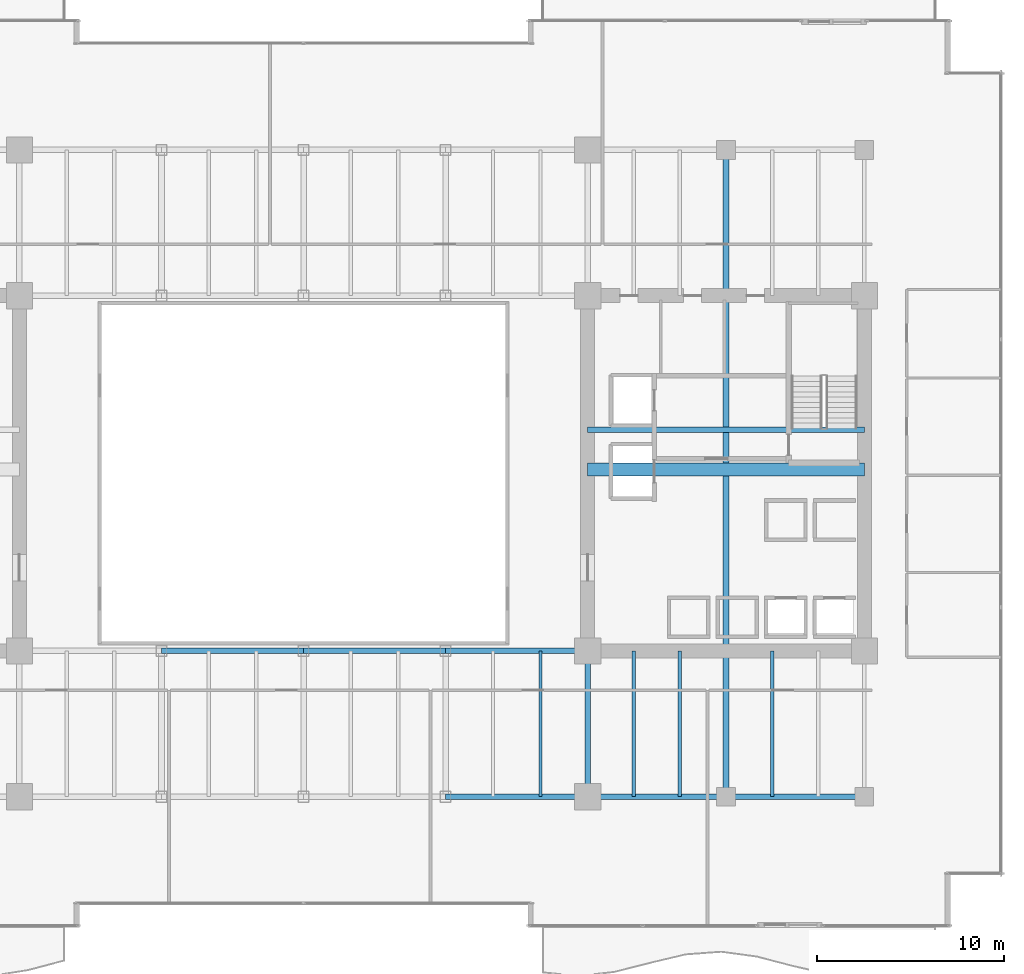
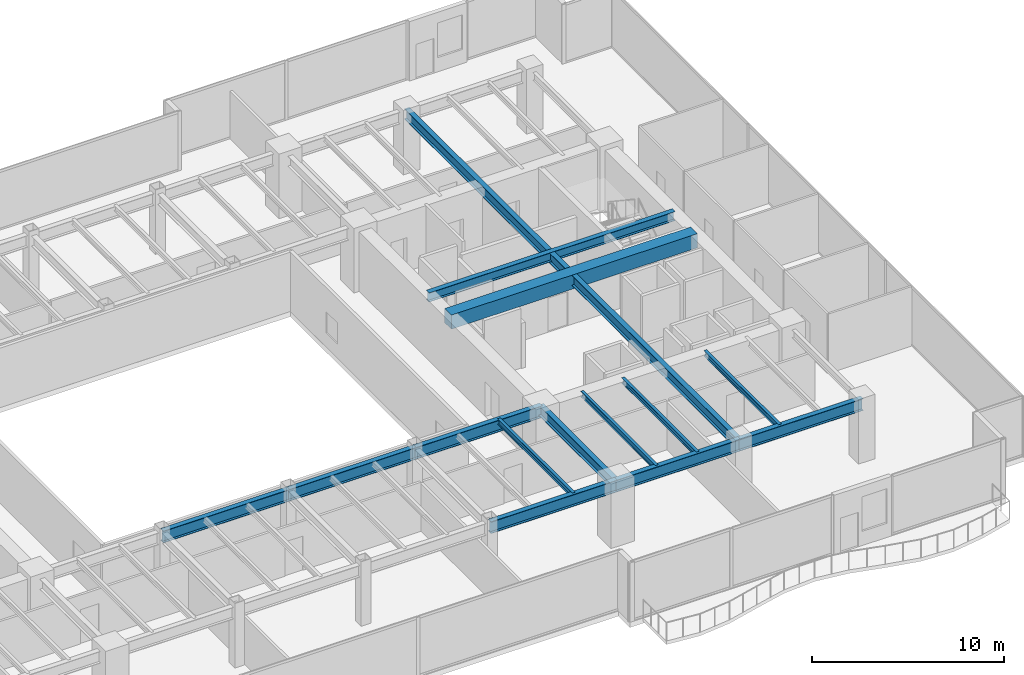
# One storey, part 11 of 31: 14 beams.
"""IFC4 building model written with IfcOpenShell, lengths in metres."""

from ifc_helpers import new_model, si_unit, direction, frame, origin, origin_2d, place, context, subcontext, project, spatial, rectangle, i_section, extrude, source, transform, mapped, material, material_profile, profile_set, type_object, type_shapes, element, save


model = new_model("IFC4")

# Units and contexts
model_context = context("Model", 3, precision=1e-05, world=origin(), true_north=direction((0.0, 1.0)))
body_context = subcontext(model_context, "Body", "Model", "MODEL_VIEW")
ifc_project = project(units=[si_unit("LENGTHUNIT", "METRE"), si_unit("AREAUNIT", "SQUARE_METRE"), si_unit("VOLUMEUNIT", "CUBIC_METRE"), si_unit("PLANEANGLEUNIT", "RADIAN"), si_unit("MASSUNIT", "GRAM", prefix="KILO")], contexts=[model_context])

# Site, building, storey
site_placement = place(None, origin())
site = spatial("IfcSite", under=ifc_project, at=site_placement, CompositionType="ELEMENT")
building_placement = place(site_placement, origin())
building = spatial("IfcBuilding", under=site, at=building_placement, Name="Haelvirn Gate Laboratories", CompositionType="ELEMENT")
storey_placement = place(building_placement, frame((0.0, 0.0, 62.10009765625)))
storey = spatial("IfcBuildingStorey", under=building, at=storey_placement, Name="L15", CompositionType="ELEMENT", Elevation=62.10009765625)

# Beams
ifc_material_1 = material(Name="Concrete C60/75", Category="concrete")
ifc_material_profile_1 = material_profile(ifc_material_1, rectangle(XDim=0.699951171875, YDim=0.89990234375, at=origin_2d()), Name="RCB-700x900")
ifc_profile_set_1 = profile_set([ifc_material_profile_1], Name="Concrete C60/75")
beam_type_1 = type_object("IfcBeamType", Name="BM-RCB-900", PredefinedType="LINTEL", material=ifc_profile_set_1)
shared_shape_1 = source(origin(), body_context, "Body", "SweptSolid", [
    extrude(rectangle(XDim=0.699951171875, YDim=0.89990234375, at=origin_2d()), origin(), (0.0, 0.0, 1.0), 14.7998046875),
])
type_shapes(beam_type_1, [shared_shape_1])
beam_1_placement = place(storey_placement, frame((52.60009765625, 24.5, 3.329833984375), z_axis=(1.0, 0.0, 0.0), x_axis=(0.0, 1.0, 0.0)))
element("IfcBeam", 1, at=beam_1_placement, inside=storey, type_object=beam_type_1, Name="L15 East Core Coupling Beam", PredefinedType="LINTEL", context=body_context, shape_type="MappedRepresentation", body=[
    mapped(shared_shape_1, transform((0.0, 0.0, 0.0), scale=1.0)),
])
ifc_material_2 = material(Name="Steel SM355", Category="steel")
ifc_material_profile_2 = material_profile(ifc_material_2, i_section(OverallWidth=0.300048828125, OverallDepth=0.587890625, WebThickness=0.011962890625, FlangeThickness=0.02001953125, at=origin_2d()), Name="H-588x300x12x20")
ifc_profile_set_2 = profile_set([ifc_material_profile_2], Name="Steel SM355")
beam_type_2 = type_object("IfcBeamType", Name="BM-G-588", PredefinedType="BEAM", material=ifc_profile_set_2)
shared_shape_2 = source(origin(), body_context, "Body", "SweptSolid", [
    extrude(i_section(OverallWidth=0.300048828125, OverallDepth=0.587890625, WebThickness=0.011962890625, FlangeThickness=0.02001953125, at=origin_2d()), origin(), (0.0, 0.0, 1.0), 14.7998046875),
])
type_shapes(beam_type_2, [shared_shape_2])
beam_2_placement = place(storey_placement, frame((52.60009765625, 26.6201171875, 3.48583984375), z_axis=(1.0, 0.0, 0.0), x_axis=(0.0, 1.0, 0.0)))
element("IfcBeam", 2, at=beam_2_placement, inside=storey, type_object=beam_type_2, Name="L15 Stair ST2 Landing Header", PredefinedType="BEAM", context=body_context, shape_type="MappedRepresentation", body=[
    mapped(shared_shape_2, transform((0.0, 0.0, 0.0), scale=1.0)),
])
ifc_material_profile_3 = material_profile(ifc_material_2, i_section(OverallWidth=0.300048828125, OverallDepth=0.75, WebThickness=0.013916015625, FlangeThickness=0.02392578125, at=origin_2d()), Name="H-750x300x14x24")
ifc_profile_set_3 = profile_set([ifc_material_profile_3], Name="Steel SM355")
beam_type_3 = type_object("IfcBeamType", Name="BM-G-750", PredefinedType="BEAM", material=ifc_profile_set_3)
shared_shape_3 = source(origin(), body_context, "Body", "SweptSolid", [
    extrude(i_section(OverallWidth=0.300048828125, OverallDepth=0.75, WebThickness=0.013916015625, FlangeThickness=0.02392578125, at=origin_2d()), origin(), (0.0, 0.0, 1.0), 7.39990234375),
])
for number, where, z_axis, x_axis, name in (
    (3, (52.60009765625, 7.0, 3.40478515625), (1.0, 0.0, 0.0), (0.0, 1.0, 0.0), "L15 Primary Girder Y7.0 (52.6-60.0)"),
    (4, (60.0, 7.0, 3.40478515625), (1.0, 0.0, 0.0), (0.0, 1.0, 0.0), "L15 Primary Girder Y7.0 (60.0-67.4)"),
):
    element("IfcBeam", number, at=place(storey_placement, frame(where, z_axis=z_axis, x_axis=x_axis)), inside=storey, type_object=beam_type_3, Name=name, PredefinedType="BEAM", context=body_context, shape_type="MappedRepresentation", body=[
        mapped(shared_shape_3, transform((0.0, 0.0, 0.0), scale=1.0)),
    ])
shared_shape_4 = source(origin(), body_context, "Body", "SweptSolid", [
    extrude(i_section(OverallWidth=0.300048828125, OverallDepth=0.75, WebThickness=0.013916015625, FlangeThickness=0.02392578125, at=origin_2d()), origin(), (0.0, 0.0, 1.0), 7.60009765625),
])
for number, where, z_axis, x_axis, name in (
    (5, (45.0, 7.0, 3.40478515625), (1.0, 0.0, 0.0), (0.0, 1.0, 0.0), "L15 Primary Girder Y7.0 (45.0-52.6)"),
    (6, (37.39990234375, 14.800048828125, 3.40478515625), (1.0, 0.0, 0.0), (0.0, 1.0, 0.0), "L15 Primary Girder Y14.8 (37.4-45.0)"),
    (7, (45.0, 14.800048828125, 3.40478515625), (1.0, 0.0, 0.0), (0.0, 1.0, 0.0), "L15 Primary Girder Y14.8 (45.0-52.6)"),
):
    element("IfcBeam", number, at=place(storey_placement, frame(where, z_axis=z_axis, x_axis=x_axis)), inside=storey, type_object=beam_type_3, Name=name, PredefinedType="BEAM", context=body_context, shape_type="MappedRepresentation", body=[
        mapped(shared_shape_4, transform((0.0, 0.0, 0.0), scale=1.0)),
    ])
shared_shape_5 = source(origin(), body_context, "Body", "SweptSolid", [
    extrude(i_section(OverallWidth=0.300048828125, OverallDepth=0.75, WebThickness=0.013916015625, FlangeThickness=0.02392578125, at=origin_2d()), origin(), (0.0, 0.0, 1.0), 7.599853515625),
])
type_shapes(beam_type_3, [shared_shape_3, shared_shape_4, shared_shape_5])
beam_3_placement = place(storey_placement, frame((29.800048828125, 14.800048828125, 3.40478515625), z_axis=(1.0, 0.0, 0.0), x_axis=(0.0, 1.0, 0.0)))
element("IfcBeam", 8, at=beam_3_placement, inside=storey, type_object=beam_type_3, Name="L15 Primary Girder Y14.8 (29.8-37.4)", PredefinedType="BEAM", context=body_context, shape_type="MappedRepresentation", body=[
    mapped(shared_shape_5, transform((0.0, 0.0, 0.0), scale=1.0)),
])
ifc_material_profile_4 = material_profile(ifc_material_2, i_section(OverallWidth=0.175048828125, OverallDepth=0.35009765625, WebThickness=0.007080078125, FlangeThickness=0.010986328125, at=origin_2d()), Name="H-350x175x7x11")
ifc_profile_set_4 = profile_set([ifc_material_profile_4], Name="Steel SM355")
beam_type_4 = type_object("IfcBeamType", Name="BM-J-350", PredefinedType="JOIST", material=ifc_profile_set_4)
shared_shape_6 = source(origin(), body_context, "Body", "SweptSolid", [
    extrude(i_section(OverallWidth=0.175048828125, OverallDepth=0.35009765625, WebThickness=0.007080078125, FlangeThickness=0.010986328125, at=origin_2d()), origin(), (0.0, 0.0, 1.0), 7.800048828125),
])
type_shapes(beam_type_4, [shared_shape_6])
for number, where, z_axis, x_axis, name in (
    (9, (50.070068359375, 7.0, 3.60498046875), (0.0, 1.0, 0.0), (-1.0, 0.0, 0.0), "L15 Composite Lab Joist South X50.07"),
    (10, (55.070068359375, 7.0, 3.60498046875), (0.0, 1.0, 0.0), (-1.0, 0.0, 0.0), "L15 Composite Lab Joist South X55.07"),
    (11, (57.530029296875, 7.0, 3.60498046875), (0.0, 1.0, 0.0), (-1.0, 0.0, 0.0), "L15 Composite Lab Joist South X57.53"),
    (12, (62.469970703125, 7.0, 3.60498046875), (0.0, 1.0, 0.0), (-1.0, 0.0, 0.0), "L15 Composite Lab Joist South X62.47"),
):
    element("IfcBeam", number, at=place(storey_placement, frame(where, z_axis=z_axis, x_axis=x_axis)), inside=storey, type_object=beam_type_4, Name=name, PredefinedType="JOIST", context=body_context, shape_type="MappedRepresentation", body=[
        mapped(shared_shape_6, transform((0.0, 0.0, 0.0), scale=1.0)),
    ])
ifc_material_profile_5 = material_profile(ifc_material_2, i_section(OverallWidth=0.300048828125, OverallDepth=0.64990234375, WebThickness=0.012939453125, FlangeThickness=0.02197265625, at=origin_2d()), Name="H-650x300x13x22")
ifc_profile_set_5 = profile_set([ifc_material_profile_5], Name="Steel SM355")
beam_type_5 = type_object("IfcBeamType", Name="BM-G-650", PredefinedType="BEAM", material=ifc_profile_set_5)
shared_shape_7 = source(origin(), body_context, "Body", "SweptSolid", [
    extrude(i_section(OverallWidth=0.300048828125, OverallDepth=0.64990234375, WebThickness=0.012939453125, FlangeThickness=0.02197265625, at=origin_2d()), origin(), (0.0, 0.0, 1.0), 34.60009765625),
])
beam_4_placement = place(storey_placement, frame((60.0, 7.0, 3.454833984375), z_axis=(0.0, 1.0, 0.0), x_axis=(-1.0, 0.0, 0.0)))
element("IfcBeam", 13, at=beam_4_placement, inside=storey, type_object=beam_type_5, Name="L15 Frame Girder X60.0 (7.0-41.6)", PredefinedType="BEAM", context=body_context, shape_type="MappedRepresentation", body=[
    mapped(shared_shape_7, transform((0.0, 0.0, 0.0), scale=1.0)),
])
shared_shape_8 = source(origin(), body_context, "Body", "SweptSolid", [
    extrude(i_section(OverallWidth=0.300048828125, OverallDepth=0.64990234375, WebThickness=0.012939453125, FlangeThickness=0.02197265625, at=origin_2d()), origin(), (0.0, 0.0, 1.0), 7.800048828125),
])
type_shapes(beam_type_5, [shared_shape_7, shared_shape_8])
beam_5_placement = place(storey_placement, frame((52.60009765625, 7.0, 3.454833984375), z_axis=(0.0, 1.0, 0.0), x_axis=(-1.0, 0.0, 0.0)))
element("IfcBeam", 14, at=beam_5_placement, inside=storey, type_object=beam_type_5, Name="L15 Frame Girder X52.6 (7.0-14.8)", PredefinedType="BEAM", context=body_context, shape_type="MappedRepresentation", body=[
    mapped(shared_shape_8, transform((0.0, 0.0, 0.0), scale=1.0)),
])

save(model, "model.ifc")
